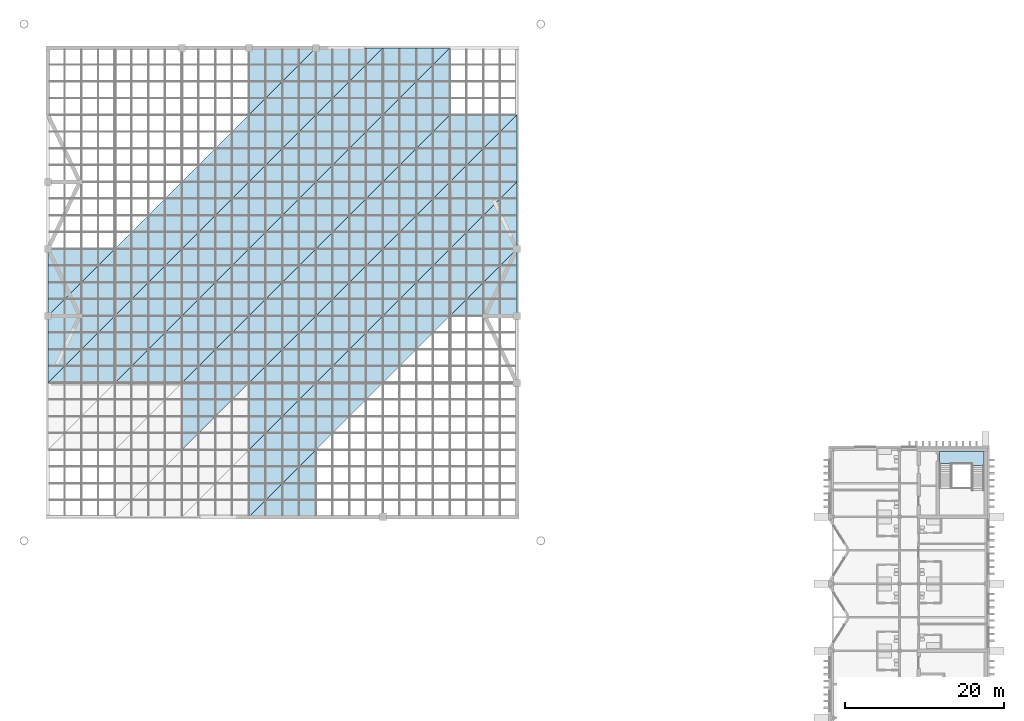
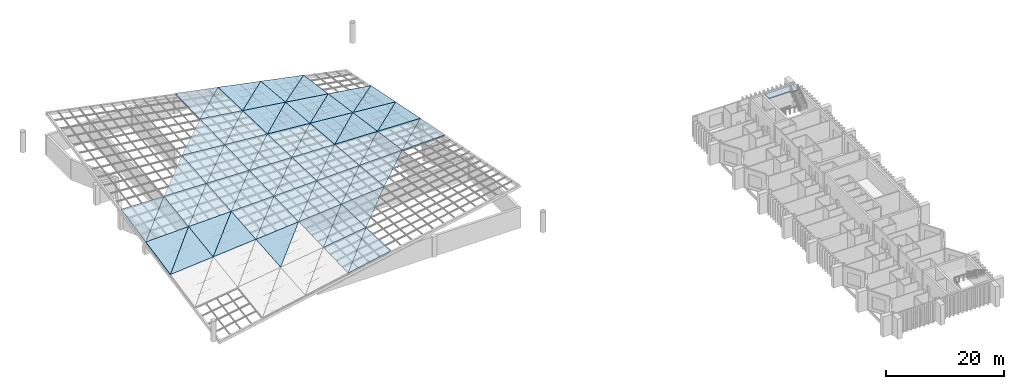
# One storey, part 10 of 20: 58 slabs, 1 element without a shape of its own.
"""IFC4 building model written with IfcOpenShell, lengths in metres."""

from ifc_helpers import new_model, si_unit, direction, frame, origin, place, context, subcontext, project, spatial, polyline, outline, extrude, material, layer, layer_set, type_object, element, aggregate, save


model = new_model("IFC4")

# Units and contexts
model_context = context("Model", 3, precision=1e-05, world=origin(), true_north=direction((0.0, 1.0)))
body_context = subcontext(model_context, "Body", "Model", "MODEL_VIEW")
ifc_project = project(units=[si_unit("LENGTHUNIT", "METRE"), si_unit("AREAUNIT", "SQUARE_METRE"), si_unit("VOLUMEUNIT", "CUBIC_METRE"), si_unit("PLANEANGLEUNIT", "RADIAN"), si_unit("MASSUNIT", "GRAM", prefix="KILO")], contexts=[model_context])

# Site, building, storey
site_placement = place(None, origin())
site = spatial("IfcSite", under=ifc_project, at=site_placement, CompositionType="ELEMENT")
building_placement = place(site_placement, origin())
building = spatial("IfcBuilding", under=site, at=building_placement, Name="Cresset Court Congress Hotel", CompositionType="ELEMENT")
storey_placement = place(building_placement, frame((0.0, 0.0, 27.0)))
storey = spatial("IfcBuildingStorey", under=building, at=storey_placement, Name="L06", CompositionType="ELEMENT", Elevation=27.0)

# Slabs
ifc_material_1 = material(Name="Titanium-zinc standing seam roof panel")
ifc_layer_1 = layer(ifc_material_1, 0.14990234375)
ifc_layer_set_1 = layer_set([ifc_layer_1], Name="Roof cover facet 150")
slab_type_1 = type_object("IfcSlabType", Name="Roof cover facet 150", PredefinedType="ROOF", material=ifc_layer_set_1)
slab_1_placement = place(storey_placement, frame((58.800048828125, 75.60009765625, 0.60205078125), z_axis=(-0.084825393195, -0.141385210963, 0.986313781101), x_axis=(0.996322179533, 0.0, 0.085686139895)))
element("IfcSlab", 1, at=slab_1_placement, inside=storey, type_object=slab_type_1, Name="Roof panel RP-13A", PredefinedType="ROOF", context=body_context, shape_type="SweptSolid", body=[
    extrude(outline(polyline([(0.0, 0.0), (8.430909716057242, -1.3877787807814457e-17), (8.534084530989805, 8.485138473526247), (0.0, 0.0)])), origin(), (0.0, 0.0, -1.0), 0.14990234375),
])
slab_2_placement = place(storey_placement, frame((58.800048828125, 75.60009765625, 0.60205078125), z_axis=(-0.028115069054, -0.196663056487, 0.980067949229), x_axis=(0.697987604244, 0.697987604244, 0.160083130416)))
element("IfcSlab", 2, at=slab_2_placement, inside=storey, type_object=slab_type_1, Name="Roof panel RP-13B", PredefinedType="ROOF", context=body_context, shape_type="SweptSolid", body=[
    extrude(outline(polyline([(0.0, 0.0), (12.034457764976153, -8.604228440844963e-16), (6.132855333009405, 5.982266553467601), (0.0, 0.0)])), origin(), (0.0, 0.0, -1.0), 0.14990234375),
])
slab_3_placement = place(storey_placement, frame((58.800048828125, 84.0, 2.28759765625), z_axis=(-0.028385262106, -0.141811274005, 0.989486654514), x_axis=(0.999588785904, 0.0, 0.028675060504)))
element("IfcSlab", 3, at=slab_3_placement, inside=storey, type_object=slab_type_1, Name="Roof panel RP-14A", PredefinedType="ROOF", context=body_context, shape_type="SweptSolid", body=[
    extrude(outline(polyline([(0.0, 0.0), (8.403357922981321, 0.0), (8.43787860739131, 8.485660869908019), (0.0, 0.0)])), origin(), (0.0, 0.0, -1.0), 0.14990234375),
])
slab_4_placement = place(storey_placement, frame((58.800048828125, 84.0, 2.28759765625), z_axis=(0.028114911543, -0.196690439925, 0.980062458515), x_axis=(0.701934041896, 0.701934041896, 0.120736082658)))
element("IfcSlab", 4, at=slab_4_placement, inside=storey, type_object=slab_type_1, Name="Roof panel RP-14B", PredefinedType="ROOF", context=body_context, shape_type="SweptSolid", body=[
    extrude(outline(polyline([(0.0, 0.0), (11.966797223658467, -2.498001805406602e-16), (6.099713207085436, 6.0161241280583795), (0.0, 0.0)])), origin(), (0.0, 0.0, -1.0), 0.14990234375),
])
slab_5_placement = place(storey_placement, frame((67.199951171875, 75.60009765625, 1.324462890625), z_axis=(-0.085370839589, -0.085373320866, 0.992684852223), x_axis=(0.996322392136, 0.0, 0.08568366781)))
element("IfcSlab", 5, at=slab_5_placement, inside=storey, type_object=slab_type_1, Name="Roof panel RP-23A", PredefinedType="ROOF", context=body_context, shape_type="SweptSolid", body=[
    extrude(outline(polyline([(0.0, 0.0), (8.431152958802807, 0.0), (8.493051878004213, 8.43068248507261), (0.0, 0.0)])), origin(), (0.0, 0.0, -1.0), 0.14990234375),
])
slab_6_placement = place(storey_placement, frame((67.199951171875, 75.60009765625, 1.324462890625), z_axis=(-0.028355586968, -0.141839573648, 0.989483449096), x_axis=(0.701944391122, 0.701923989914, 0.120734353668)))
element("IfcSlab", 6, at=slab_6_placement, inside=storey, type_object=slab_type_1, Name="Roof panel RP-23B", PredefinedType="ROOF", context=body_context, shape_type="SweptSolid", body=[
    extrude(outline(polyline([(0.0, 0.0), (11.96696859553751, -1.5681900222830336e-15), (6.041469391908614, 5.95893174520258), (0.0, 0.0)])), origin(), (0.0, 0.0, -1.0), 0.14990234375),
])
slab_7_placement = place(storey_placement, frame((67.199951171875, 84.0, 2.528564453125), z_axis=(-0.028539933798, -0.085651235914, 0.995916330806), x_axis=(0.999589642069, 0.0, 0.028645199729)))
element("IfcSlab", 7, at=slab_7_placement, inside=storey, type_object=slab_type_1, Name="Roof panel RP-24A", PredefinedType="ROOF", context=body_context, shape_type="SweptSolid", body=[
    extrude(outline(polyline([(0.0, 0.0), (8.40359496621474, 0.0), (8.424288605374535, 8.430884319785601), (0.0, 0.0)])), origin(), (0.0, 0.0, -1.0), 0.14990234375),
])
slab_8_placement = place(storey_placement, frame((67.199951171875, 84.0, 2.528564453125), z_axis=(0.028355702624, -0.141811393026, 0.989487484982), x_axis=(0.704804407959, 0.704783923627, 0.080810689377)))
element("IfcSlab", 8, at=slab_8_placement, inside=storey, type_object=slab_type_1, Name="Roof panel RP-24B", PredefinedType="ROOF", context=body_context, shape_type="SweptSolid", body=[
    extrude(outline(polyline([(0.0, 0.0), (11.918407985979082, -9.71445146547012e-17), (6.017400680088292, 5.983186536621874), (0.0, 0.0)])), origin(), (0.0, 0.0, -1.0), 0.14990234375),
])
slab_9_placement = place(storey_placement, frame((67.199951171875, 92.39990234375, 3.732421875), z_axis=(0.028539939883, -0.08564876482, 0.995916543148), x_axis=(0.999589642069, 0.0, -0.028645199729)))
element("IfcSlab", 9, at=slab_9_placement, inside=storey, type_object=slab_type_1, Name="Roof panel RP-25A", PredefinedType="ROOF", context=body_context, shape_type="SweptSolid", body=[
    extrude(outline(polyline([(0.0, 0.0), (8.40359496621474, -3.469446951953614e-18), (8.382901327054945, 8.431127563263864), (0.0, 0.0)])), origin(), (0.0, 0.0, -1.0), 0.14990234375),
])
slab_10_placement = place(storey_placement, frame((75.60009765625, 67.199951171875, 1.324462890625), z_axis=(-0.085373320866, -0.085370839589, 0.992684852223), x_axis=(0.701923989914, 0.701944391122, 0.120734353668)))
element("IfcSlab", 10, at=slab_10_placement, inside=storey, type_object=slab_type_1, Name="Roof panel RP-32B", PredefinedType="ROOF", context=body_context, shape_type="SweptSolid", body=[
    extrude(outline(polyline([(0.0, 0.0), (11.96696859553751, -1.5265227775417e-16), (5.983655668420736, 5.939714223471169), (0.0, 0.0)])), origin(), (0.0, 0.0, -1.0), 0.14990234375),
])
slab_11_placement = place(storey_placement, frame((75.60009765625, 75.60009765625, 2.046875), z_axis=(-0.085651233886, -0.028540762626, 0.995916307228), x_axis=(0.996322179533, 0.0, 0.085686139895)))
element("IfcSlab", 11, at=slab_11_placement, inside=storey, type_object=slab_type_1, Name="Roof panel RP-33A", PredefinedType="ROOF", context=body_context, shape_type="SweptSolid", body=[
    extrude(outline(polyline([(0.0, 0.0), (8.430909716057242, 0.0), (8.451536311256655, 8.403325611050622), (0.0, 0.0)])), origin(), (0.0, 0.0, -1.0), 0.14990234375),
])
slab_12_placement = place(storey_placement, frame((75.60009765625, 75.60009765625, 2.046875), z_axis=(-0.028540762626, -0.085651233886, 0.995916307228), x_axis=(0.704794098981, 0.704794098981, 0.080811856086)))
element("IfcSlab", 12, at=slab_12_placement, inside=storey, type_object=slab_type_1, Name="Roof panel RP-33B", PredefinedType="ROOF", context=body_context, shape_type="SweptSolid", body=[
    extrude(outline(polyline([(0.0, 0.0), (11.91823591584883, 4.510281037539698e-16), (5.978581067306344, 5.944477021736608), (0.0, 0.0)])), origin(), (0.0, 0.0, -1.0), 0.14990234375),
])
slab_13_placement = place(storey_placement, frame((75.60009765625, 84.0, 2.769287109375), z_axis=(-0.028634261618, -0.028663302452, 0.999178909983), x_axis=(0.99958961823, 0.0, 0.02864603161)))
element("IfcSlab", 13, at=slab_13_placement, inside=storey, type_object=slab_type_1, Name="Roof panel RP-34A", PredefinedType="ROOF", context=body_context, shape_type="SweptSolid", body=[
    extrude(outline(polyline([(0.0, 0.0), (8.403350925777692, 0.0), (8.41025366825794, 8.40335508793239), (0.0, 0.0)])), origin(), (0.0, 0.0, -1.0), 0.14990234375),
])
slab_14_placement = place(storey_placement, frame((75.60009765625, 84.0, 2.769287109375), z_axis=(0.028540762626, -0.085651233886, 0.995916307228), x_axis=(0.706526183016, 0.706526183016, 0.040515496108)))
element("IfcSlab", 14, at=slab_14_placement, inside=storey, type_object=slab_type_1, Name="Roof panel RP-34B", PredefinedType="ROOF", context=body_context, shape_type="SweptSolid", body=[
    extrude(outline(polyline([(0.0, 0.0), (11.889017768441823, -8.326672684688674e-17), (5.964019825644981, 5.959086017135682), (0.0, 0.0)])), origin(), (0.0, 0.0, -1.0), 0.14990234375),
])
slab_15_placement = place(storey_placement, frame((75.60009765625, 92.39990234375, 3.49169921875), z_axis=(0.028634286124, -0.028633453901, 0.999179765095), x_axis=(0.99958961823, 0.0, -0.02864603161)))
element("IfcSlab", 15, at=slab_15_placement, inside=storey, type_object=slab_type_1, Name="Roof panel RP-35A", PredefinedType="ROOF", context=body_context, shape_type="SweptSolid", body=[
    extrude(outline(polyline([(0.0, 0.0), (8.403350925777692, 0.0), (8.396455176957504, 8.403592136987488), (0.0, 0.0)])), origin(), (0.0, 0.0, -1.0), 0.14990234375),
])
slab_16_placement = place(storey_placement, frame((75.60009765625, 92.39990234375, 3.49169921875), z_axis=(0.085373320866, -0.085370839589, 0.992684852223), x_axis=(0.707096505339, 0.707117056885, 0.0)))
element("IfcSlab", 16, at=slab_16_placement, inside=storey, type_object=slab_type_1, Name="Roof panel RP-35B", PredefinedType="ROOF", context=body_context, shape_type="SweptSolid", body=[
    extrude(outline(polyline([(0.0, 0.0), (11.879428451886664, 8.881784197001252e-16), (5.939886859434814, 5.983484295278372), (0.0, 0.0)])), origin(), (0.0, 0.0, -1.0), 0.14990234375),
])
slab_17_placement = place(storey_placement, frame((75.60009765625, 100.800048828125, 4.214111328125), z_axis=(0.085651233886, -0.028540762626, 0.995916307228), x_axis=(0.996322179533, 0.0, -0.085686139895)))
element("IfcSlab", 17, at=slab_17_placement, inside=storey, type_object=slab_type_1, Name="Roof panel RP-36A", PredefinedType="ROOF", context=body_context, shape_type="SweptSolid", body=[
    extrude(outline(polyline([(0.0, 0.0), (8.430909716057242, 0.0), (8.410283120857828, 8.40332561105062), (0.0, 0.0)])), origin(), (0.0, 0.0, -1.0), 0.14990234375),
])
slab_18_placement = place(storey_placement, frame((84.0, 58.800048828125, 2.28759765625), z_axis=(-0.196690439925, 0.028114911543, 0.980062458515), x_axis=(0.980450032627, 0.0, 0.196768222847)))
element("IfcSlab", 18, at=slab_18_placement, inside=storey, type_object=slab_type_1, Name="Roof panel RP-41A", PredefinedType="ROOF", context=body_context, shape_type="SweptSolid", body=[
    extrude(outline(polyline([(0.0, 0.0), (8.567394629226479, 0.0), (8.519980020840162, 8.403224157229445), (0.0, 0.0)])), origin(), (0.0, 0.0, -1.0), 0.14990234375),
])
slab_19_placement = place(storey_placement, frame((84.0, 58.800048828125, 2.28759765625), z_axis=(-0.141811274005, -0.028385262106, 0.989486654514), x_axis=(0.701934041896, 0.701934041896, 0.120736082658)))
element("IfcSlab", 19, at=slab_19_placement, inside=storey, type_object=slab_type_1, Name="Roof panel RP-41B", PredefinedType="ROOF", context=body_context, shape_type="SweptSolid", body=[
    extrude(outline(polyline([(0.0, 0.0), (11.966797223658467, -5.828670879282072e-16), (5.925270790783813, 5.958824585236346), (0.0, 0.0)])), origin(), (0.0, 0.0, -1.0), 0.14990234375),
])
slab_20_placement = place(storey_placement, frame((84.0, 67.199951171875, 2.528564453125), z_axis=(-0.141811393026, 0.028355702624, 0.989487484982), x_axis=(0.989885521692, 0.0, 0.141868438861)))
element("IfcSlab", 20, at=slab_20_placement, inside=storey, type_object=slab_type_1, Name="Roof panel RP-42A", PredefinedType="ROOF", context=body_context, shape_type="SweptSolid", body=[
    extrude(outline(polyline([(0.0, 0.0), (8.485731086756184, -6.938893903907228e-18), (8.451580139315448, 8.403525573768349), (0.0, 0.0)])), origin(), (0.0, 0.0, -1.0), 0.14990234375),
])
slab_21_placement = place(storey_placement, frame((84.0, 67.199951171875, 2.528564453125), z_axis=(-0.085651235914, -0.028539933798, 0.995916330806), x_axis=(0.704783923627, 0.704804407959, 0.080810689377)))
element("IfcSlab", 21, at=slab_21_placement, inside=storey, type_object=slab_type_1, Name="Roof panel RP-42B", PredefinedType="ROOF", context=body_context, shape_type="SweptSolid", body=[
    extrude(outline(polyline([(0.0, 0.0), (11.918407985979082, -2.0122792321330962e-16), (5.93991323349131, 5.944563830491229), (0.0, 0.0)])), origin(), (0.0, 0.0, -1.0), 0.14990234375),
])
slab_22_placement = place(storey_placement, frame((84.0, 75.60009765625, 2.769287109375), z_axis=(-0.085651233886, 0.028540762626, 0.995916307228), x_axis=(0.996322179533, 0.0, 0.085686139895)))
element("IfcSlab", 22, at=slab_22_placement, inside=storey, type_object=slab_type_1, Name="Roof panel RP-43A", PredefinedType="ROOF", context=body_context, shape_type="SweptSolid", body=[
    extrude(outline(polyline([(0.0, 0.0), (8.430909716057242, 0.0), (8.410283120857828, 8.40332561105062), (0.0, 0.0)])), origin(), (0.0, 0.0, -1.0), 0.14990234375),
])
slab_23_placement = place(storey_placement, frame((84.0, 75.60009765625, 2.769287109375), z_axis=(-0.028663302452, -0.028634261618, 0.999178909983), x_axis=(0.706526183016, 0.706526183016, 0.040515496108)))
element("IfcSlab", 23, at=slab_23_placement, inside=storey, type_object=slab_type_1, Name="Roof panel RP-43B", PredefinedType="ROOF", context=body_context, shape_type="SweptSolid", body=[
    extrude(outline(polyline([(0.0, 0.0), (11.889017768441823, -4.684075257657336e-16), (5.944503938481641, 5.939627909822725), (0.0, 0.0)])), origin(), (0.0, 0.0, -1.0), 0.14990234375),
])
slab_24_placement = place(storey_placement, frame((84.0, 84.0, 3.010009765625), z_axis=(-0.028663278604, 0.028663278604, 0.999178078682), x_axis=(0.999588785904, 0.0, 0.028675060504)))
element("IfcSlab", 24, at=slab_24_placement, inside=storey, type_object=slab_type_1, Name="Roof panel RP-44A", PredefinedType="ROOF", context=body_context, shape_type="SweptSolid", body=[
    extrude(outline(polyline([(0.0, 0.0), (8.403357922981321, 0.0), (8.39644818550157, 8.403355082183598), (0.0, 0.0)])), origin(), (0.0, 0.0, -1.0), 0.14990234375),
])
slab_25_placement = place(storey_placement, frame((84.0, 84.0, 3.010009765625), z_axis=(0.028663278604, -0.028663278604, 0.999178078682), x_axis=(0.707106781187, 0.707106781187, 0.0)))
element("IfcSlab", 25, at=slab_25_placement, inside=storey, type_object=slab_type_1, Name="Roof panel RP-44B", PredefinedType="ROOF", context=body_context, shape_type="SweptSolid", body=[
    extrude(outline(polyline([(0.0, 0.0), (11.879255817140798, 0.0), (5.939627908570399, 5.944513831211479), (0.0, 0.0)])), origin(), (0.0, 0.0, -1.0), 0.14990234375),
])
slab_26_placement = place(storey_placement, frame((84.0, 92.39990234375, 3.2509765625), z_axis=(0.028663303135, 0.028633430079, 0.999178933793), x_axis=(0.999588785904, 0.0, -0.028675060504)))
element("IfcSlab", 26, at=slab_26_placement, inside=storey, type_object=slab_type_1, Name="Roof panel RP-45A", PredefinedType="ROOF", context=body_context, shape_type="SweptSolid", body=[
    extrude(outline(polyline([(0.0, 0.0), (8.403357922981321, 8.673617379884035e-19), (8.410260659713881, 8.4035921312505), (0.0, 0.0)])), origin(), (0.0, 0.0, -1.0), 0.14990234375),
])
slab_27_placement = place(storey_placement, frame((84.0, 92.39990234375, 3.2509765625), z_axis=(0.085651235914, -0.028539933798, 0.995916330806), x_axis=(0.706515932459, 0.706536467132, -0.040514908293)))
element("IfcSlab", 27, at=slab_27_placement, inside=storey, type_object=slab_type_1, Name="Roof panel RP-45B", PredefinedType="ROOF", context=body_context, shape_type="SweptSolid", body=[
    extrude(outline(polyline([(0.0, 0.0), (11.889190261441117, 8.465450562766819e-16), (5.925256964116818, 5.959172615839795), (0.0, 0.0)])), origin(), (0.0, 0.0, -1.0), 0.14990234375),
])
slab_28_placement = place(storey_placement, frame((84.0, 100.800048828125, 3.49169921875), z_axis=(0.085651233886, 0.028540762626, 0.995916307228), x_axis=(0.996322179533, 0.0, -0.085686139895)))
element("IfcSlab", 28, at=slab_28_placement, inside=storey, type_object=slab_type_1, Name="Roof panel RP-46A", PredefinedType="ROOF", context=body_context, shape_type="SweptSolid", body=[
    extrude(outline(polyline([(0.0, 0.0), (8.430909716057242, 0.0), (8.451536311256655, 8.403325611050622), (0.0, 0.0)])), origin(), (0.0, 0.0, -1.0), 0.14990234375),
])
slab_29_placement = place(storey_placement, frame((84.0, 100.800048828125, 3.49169921875), z_axis=(0.141811389712, -0.028356526112, 0.989487461858), x_axis=(0.704794098981, 0.704794098981, -0.080811856086)))
element("IfcSlab", 29, at=slab_29_placement, inside=storey, type_object=slab_type_1, Name="Roof panel RP-46B", PredefinedType="ROOF", context=body_context, shape_type="SweptSolid", body=[
    extrude(outline(polyline([(0.0, 0.0), (11.91823591584883, 9.020562075079397e-16), (5.900748359235683, 5.983099162035191), (0.0, 0.0)])), origin(), (0.0, 0.0, -1.0), 0.14990234375),
])
slab_30_placement = place(storey_placement, frame((84.0, 109.199951171875, 3.732421875), z_axis=(0.141811277326, 0.028384437785, 0.989486677684), x_axis=(0.989885521692, 0.0, -0.141868438861)))
element("IfcSlab", 30, at=slab_30_placement, inside=storey, type_object=slab_type_1, Name="Roof panel RP-47A", PredefinedType="ROOF", context=body_context, shape_type="SweptSolid", body=[
    extrude(outline(polyline([(0.0, 0.0), (8.485731086756184, 6.938893903907228e-18), (8.51991667004625, 8.403532429999249), (0.0, 0.0)])), origin(), (0.0, 0.0, -1.0), 0.14990234375),
])
slab_31_placement = place(storey_placement, frame((84.0, 109.199951171875, 3.732421875), z_axis=(0.196690444443, -0.028114095061, 0.98006248103), x_axis=(0.701923989914, 0.701944391122, -0.120734353668)))
element("IfcSlab", 31, at=slab_31_placement, inside=storey, type_object=slab_type_1, Name="Roof panel RP-47B", PredefinedType="ROOF", context=body_context, shape_type="SweptSolid", body=[
    extrude(outline(polyline([(0.0, 0.0), (11.96696859553751, 4.996003610813204e-16), (5.8673427388370545, 6.016212690818865), (0.0, 0.0)])), origin(), (0.0, 0.0, -1.0), 0.14990234375),
])
slab_32_placement = place(storey_placement, frame((92.39990234375, 67.199951171875, 3.732421875), z_axis=(-0.08564876482, 0.028539939883, 0.995916543148), x_axis=(0.706526216723, 0.706526216723, 0.040514320504)))
element("IfcSlab", 32, at=slab_32_placement, inside=storey, type_object=slab_type_1, Name="Roof panel RP-52B", PredefinedType="ROOF", context=body_context, shape_type="SweptSolid", body=[
    extrude(outline(polyline([(0.0, 0.0), (11.889362751937853, -5.204170427930421e-16), (5.9251710006771985, 5.9592580887996185), (0.0, 0.0)])), origin(), (0.0, 0.0, -1.0), 0.14990234375),
])
slab_33_placement = place(storey_placement, frame((92.39990234375, 75.60009765625, 3.49169921875), z_axis=(-0.085370839589, 0.085373320866, 0.992684852223), x_axis=(0.996322392136, 0.0, 0.08568366781)))
element("IfcSlab", 33, at=slab_33_placement, inside=storey, type_object=slab_type_1, Name="Roof panel RP-53A", PredefinedType="ROOF", context=body_context, shape_type="SweptSolid", body=[
    extrude(outline(polyline([(0.0, 0.0), (8.431152958802807, 0.0), (8.3692540396014, 8.43068248507261), (0.0, 0.0)])), origin(), (0.0, 0.0, -1.0), 0.14990234375),
])
slab_34_placement = place(storey_placement, frame((92.39990234375, 75.60009765625, 3.49169921875), z_axis=(-0.028633453901, 0.028634286124, 0.999179765095), x_axis=(0.707117056885, 0.707096505339, 0.0)))
element("IfcSlab", 34, at=slab_34_placement, inside=storey, type_object=slab_type_1, Name="Roof panel RP-53B", PredefinedType="ROOF", context=body_context, shape_type="SweptSolid", body=[
    extrude(outline(polyline([(0.0, 0.0), (11.879428451886664, -8.881784197001252e-16), (5.93954159245185, 5.944590183797646), (0.0, 0.0)])), origin(), (0.0, 0.0, -1.0), 0.14990234375),
])
slab_35_placement = place(storey_placement, frame((92.39990234375, 84.0, 3.2509765625), z_axis=(-0.028539933798, 0.085651235914, 0.995916330806), x_axis=(0.999589642069, 0.0, 0.028645199729)))
element("IfcSlab", 35, at=slab_35_placement, inside=storey, type_object=slab_type_1, Name="Roof panel RP-54A", PredefinedType="ROOF", context=body_context, shape_type="SweptSolid", body=[
    extrude(outline(polyline([(0.0, 0.0), (8.40359496621474, 0.0), (8.382901327054945, 8.430884319785603), (0.0, 0.0)])), origin(), (0.0, 0.0, -1.0), 0.14990234375),
])
slab_36_placement = place(storey_placement, frame((92.39990234375, 84.0, 3.2509765625), z_axis=(0.028633430079, 0.028663303135, 0.999178933793), x_axis=(0.706536467132, 0.706515932459, -0.040514908293)))
element("IfcSlab", 36, at=slab_36_placement, inside=storey, type_object=slab_type_1, Name="Roof panel RP-54B", PredefinedType="ROOF", context=body_context, shape_type="SweptSolid", body=[
    extrude(outline(polyline([(0.0, 0.0), (11.889190261441117, -9.46134108017159e-16), (5.944427584640078, 5.939714224834649), (0.0, 0.0)])), origin(), (0.0, 0.0, -1.0), 0.14990234375),
])
slab_37_placement = place(storey_placement, frame((92.39990234375, 92.39990234375, 3.010009765625), z_axis=(0.028539939883, 0.08564876482, 0.995916543148), x_axis=(0.999589642069, 0.0, -0.028645199729)))
element("IfcSlab", 37, at=slab_37_placement, inside=storey, type_object=slab_type_1, Name="Roof panel RP-55A", PredefinedType="ROOF", context=body_context, shape_type="SweptSolid", body=[
    extrude(outline(polyline([(0.0, 0.0), (8.40359496621474, 3.469446951953614e-18), (8.424288605374535, 8.431127563263864), (0.0, 0.0)])), origin(), (0.0, 0.0, -1.0), 0.14990234375),
])
slab_38_placement = place(storey_placement, frame((92.39990234375, 92.39990234375, 3.010009765625), z_axis=(0.08564876482, 0.028539939883, 0.995916543148), x_axis=(0.704794232751, 0.704794232751, -0.080809522719)))
element("IfcSlab", 38, at=slab_38_placement, inside=storey, type_object=slab_type_1, Name="Roof panel RP-55B", PredefinedType="ROOF", context=body_context, shape_type="SweptSolid", body=[
    extrude(outline(polyline([(0.0, 0.0), (11.918580053625133, 6.245004513516506e-17), (5.939827479409595, 5.944649516249077), (0.0, 0.0)])), origin(), (0.0, 0.0, -1.0), 0.14990234375),
])
slab_39_placement = place(storey_placement, frame((92.39990234375, 100.800048828125, 2.769287109375), z_axis=(0.085370839589, 0.085373320866, 0.992684852223), x_axis=(0.996322392136, 0.0, -0.08568366781)))
element("IfcSlab", 39, at=slab_39_placement, inside=storey, type_object=slab_type_1, Name="Roof panel RP-56A", PredefinedType="ROOF", context=body_context, shape_type="SweptSolid", body=[
    extrude(outline(polyline([(0.0, 0.0), (8.431152958802807, 0.0), (8.493051878004213, 8.43068248507261), (0.0, 0.0)])), origin(), (0.0, 0.0, -1.0), 0.14990234375),
])
slab_40_placement = place(storey_placement, frame((92.39990234375, 100.800048828125, 2.769287109375), z_axis=(0.141835530862, 0.028356427032, 0.989484004535), x_axis=(0.701944391122, 0.701923989914, -0.120734353668)))
element("IfcSlab", 40, at=slab_40_placement, inside=storey, type_object=slab_type_1, Name="Roof panel RP-56B", PredefinedType="ROOF", context=body_context, shape_type="SweptSolid", body=[
    extrude(outline(polyline([(0.0, 0.0), (11.96696859553751, -2.636779683484747e-16), (5.925156462324932, 5.958928400202331), (0.0, 0.0)])), origin(), (0.0, 0.0, -1.0), 0.14990234375),
])
slab_41_placement = place(storey_placement, frame((92.39990234375, 109.199951171875, 2.528564453125), z_axis=(0.141381213468, 0.084822994861, 0.986314560382), x_axis=(0.989882060194, 0.0, -0.141892589324)))
element("IfcSlab", 41, at=slab_41_placement, inside=storey, type_object=slab_type_1, Name="Roof panel RP-57A", PredefinedType="ROOF", context=body_context, shape_type="SweptSolid", body=[
    extrude(outline(polyline([(0.0, 0.0), (8.486007396401009, 0.0), (8.588512321159415, 8.430529814616017), (0.0, 0.0)])), origin(), (0.0, 0.0, -1.0), 0.14990234375),
])
slab_42_placement = place(storey_placement, frame((92.39990234375, 109.199951171875, 2.528564453125), z_axis=(0.196657566275, 0.028114284171, 0.980069073409), x_axis=(0.697988124104, 0.697988124104, -0.160078597009)))
element("IfcSlab", 42, at=slab_42_placement, inside=storey, type_object=slab_type_1, Name="Roof panel RP-57B", PredefinedType="ROOF", context=body_context, shape_type="SweptSolid", body=[
    extrude(outline(polyline([(0.0, 0.0), (12.034798579362958, -1.1102230246251565e-16), (5.901776113594498, 5.98243801983433), (0.0, 0.0)])), origin(), (0.0, 0.0, -1.0), 0.14990234375),
])
slab_43_placement = place(storey_placement, frame((100.800048828125, 75.60009765625, 4.214111328125), z_axis=(-0.028540762626, 0.085651233886, 0.995916307228), x_axis=(0.706526183016, 0.706526183016, -0.040515496108)))
element("IfcSlab", 43, at=slab_43_placement, inside=storey, type_object=slab_type_1, Name="Roof panel RP-63B", PredefinedType="ROOF", context=body_context, shape_type="SweptSolid", body=[
    extrude(outline(polyline([(0.0, 0.0), (11.889017768441823, -8.326672684688674e-17), (5.964019825644981, 5.959086017135682), (0.0, 0.0)])), origin(), (0.0, 0.0, -1.0), 0.14990234375),
])
slab_44_placement = place(storey_placement, frame((100.800048828125, 84.0, 3.49169921875), z_axis=(-0.028356526112, 0.141811389712, 0.989487461858), x_axis=(0.99958961823, 0.0, 0.02864603161)))
element("IfcSlab", 44, at=slab_44_placement, inside=storey, type_object=slab_type_1, Name="Roof panel RP-64A", PredefinedType="ROOF", context=body_context, shape_type="SweptSolid", body=[
    extrude(outline(polyline([(0.0, 0.0), (8.403350925777692, 6.938893903907228e-18), (8.368865188016692, 8.48566101200321), (0.0, 0.0)])), origin(), (0.0, 0.0, -1.0), 0.14990234375),
])
slab_45_placement = place(storey_placement, frame((100.800048828125, 84.0, 3.49169921875), z_axis=(0.028540762626, 0.085651233886, 0.995916307228), x_axis=(0.704794098981, 0.704794098981, -0.080811856086)))
element("IfcSlab", 45, at=slab_45_placement, inside=storey, type_object=slab_type_1, Name="Roof panel RP-64B", PredefinedType="ROOF", context=body_context, shape_type="SweptSolid", body=[
    extrude(outline(polyline([(0.0, 0.0), (11.91823591584883, 4.510281037539698e-16), (5.978581067306344, 5.944477021736608), (0.0, 0.0)])), origin(), (0.0, 0.0, -1.0), 0.14990234375),
])
slab_46_placement = place(storey_placement, frame((100.800048828125, 92.39990234375, 2.769287109375), z_axis=(0.028356427032, 0.141835530862, 0.989484004535), x_axis=(0.99958961823, 0.0, -0.02864603161)))
element("IfcSlab", 46, at=slab_46_placement, inside=storey, type_object=slab_type_1, Name="Roof panel RP-65A", PredefinedType="ROOF", context=body_context, shape_type="SweptSolid", body=[
    extrude(outline(polyline([(0.0, 0.0), (8.403350925777692, 0.0), (8.437843657198753, 8.485937295505533), (0.0, 0.0)])), origin(), (0.0, 0.0, -1.0), 0.14990234375),
])
slab_47_placement = place(storey_placement, frame((100.800048828125, 92.39990234375, 2.769287109375), z_axis=(0.085373320866, 0.085370839589, 0.992684852223), x_axis=(0.701923989914, 0.701944391122, -0.120734353668)))
element("IfcSlab", 47, at=slab_47_placement, inside=storey, type_object=slab_type_1, Name="Roof panel RP-65B", PredefinedType="ROOF", context=body_context, shape_type="SweptSolid", body=[
    extrude(outline(polyline([(0.0, 0.0), (11.96696859553751, -1.5265227775417e-16), (5.983655668420736, 5.939714223471169), (0.0, 0.0)])), origin(), (0.0, 0.0, -1.0), 0.14990234375),
])
slab_48_placement = place(storey_placement, frame((100.800048828125, 100.800048828125, 2.046875), z_axis=(0.084825393195, 0.141385210963, 0.986313781101), x_axis=(0.996322179533, 0.0, -0.085686139895)))
element("IfcSlab", 48, at=slab_48_placement, inside=storey, type_object=slab_type_1, Name="Roof panel RP-66A", PredefinedType="ROOF", context=body_context, shape_type="SweptSolid", body=[
    extrude(outline(polyline([(0.0, 0.0), (8.430909716057242, -1.3877787807814457e-17), (8.534084530989805, 8.485138473526247), (0.0, 0.0)])), origin(), (0.0, 0.0, -1.0), 0.14990234375),
])
slab_49_placement = place(storey_placement, frame((100.800048828125, 100.800048828125, 2.046875), z_axis=(0.141385210963, 0.084825393195, 0.986313781101), x_axis=(0.697987604244, 0.697987604244, -0.160083130416)))
element("IfcSlab", 49, at=slab_49_placement, inside=storey, type_object=slab_type_1, Name="Roof panel RP-66B", PredefinedType="ROOF", context=body_context, shape_type="SweptSolid", body=[
    extrude(outline(polyline([(0.0, 0.0), (12.034457764976153, -3.608224830031759e-16), (5.9786737047157965, 5.944383851405315), (0.0, 0.0)])), origin(), (0.0, 0.0, -1.0), 0.14990234375),
])
slab_50_placement = place(storey_placement, frame((100.800048828125, 109.199951171875, 1.324462890625), z_axis=(0.140489407558, 0.140485324394, 0.980064589705), x_axis=(0.989881480933, 0.0, -0.141896630354)))
element("IfcSlab", 50, at=slab_50_placement, inside=storey, type_object=slab_type_1, Name="Roof panel RP-67A", PredefinedType="ROOF", context=body_context, shape_type="SweptSolid", body=[
    extrude(outline(polyline([(0.0, 0.0), (8.485765726046866, 5.551115123125783e-17), (8.656623680369671, 8.484287188162437), (0.0, 0.0)])), origin(), (0.0, 0.0, -1.0), 0.14990234375),
])
slab_51_placement = place(storey_placement, frame((100.800048828125, 109.199951171875, 1.324462890625), z_axis=(0.196072455618, 0.084020497314, 0.976983187255), x_axis=(0.693000246398, 0.693020388241, -0.198679138245)))
element("IfcSlab", 51, at=slab_51_placement, inside=storey, type_object=slab_type_1, Name="Roof panel RP-67B", PredefinedType="ROOF", context=body_context, shape_type="SweptSolid", body=[
    extrude(outline(polyline([(0.0, 0.0), (12.121066893419664, -2.498001805406602e-16), (5.96500099323304, 5.958448066859203), (0.0, 0.0)])), origin(), (0.0, 0.0, -1.0), 0.14990234375),
])
slab_52_placement = place(storey_placement, frame((109.199951171875, 84.0, 3.732421875), z_axis=(-0.028114095061, 0.196690444443, 0.98006248103), x_axis=(0.999588809792, 0.0, 0.028674227781)))
element("IfcSlab", 52, at=slab_52_placement, inside=storey, type_object=slab_type_1, Name="Roof panel RP-74A", PredefinedType="ROOF", context=body_context, shape_type="SweptSolid", body=[
    extrude(outline(polyline([(0.0, 0.0), (8.403601963215172, 0.0), (8.355263207641794, 8.567258260237537), (0.0, 0.0)])), origin(), (0.0, 0.0, -1.0), 0.14990234375),
])
slab_53_placement = place(storey_placement, frame((109.199951171875, 84.0, 3.732421875), z_axis=(0.028384437785, 0.141811277326, 0.989486677684), x_axis=(0.701944391122, 0.701923989914, -0.120734353668)))
element("IfcSlab", 53, at=slab_53_placement, inside=storey, type_object=slab_type_1, Name="Roof panel RP-74B", PredefinedType="ROOF", context=body_context, shape_type="SweptSolid", body=[
    extrude(outline(polyline([(0.0, 0.0), (11.96696859553751, -2.220446049250313e-16), (6.04143991574805, 5.958912301850606), (0.0, 0.0)])), origin(), (0.0, 0.0, -1.0), 0.14990234375),
])
slab_54_placement = place(storey_placement, frame((109.199951171875, 92.39990234375, 2.528564453125), z_axis=(0.028114284171, 0.196657566275, 0.980069073409), x_axis=(0.999588809792, 0.0, -0.028674227781)))
element("IfcSlab", 54, at=slab_54_placement, inside=storey, type_object=slab_type_1, Name="Roof panel RP-75A", PredefinedType="ROOF", context=body_context, shape_type="SweptSolid", body=[
    extrude(outline(polyline([(0.0, 0.0), (8.403601963215172, 0.0), (8.451933718244657, 8.567449636165694), (0.0, 0.0)])), origin(), (0.0, 0.0, -1.0), 0.14990234375),
])
slab_55_placement = place(storey_placement, frame((109.199951171875, 92.39990234375, 2.528564453125), z_axis=(0.084822994861, 0.141381213468, 0.986314560382), x_axis=(0.697988124104, 0.697988124104, -0.160078597009)))
element("IfcSlab", 55, at=slab_55_placement, inside=storey, type_object=slab_type_1, Name="Roof panel RP-75B", PredefinedType="ROOF", context=body_context, shape_type="SweptSolid", body=[
    extrude(outline(polyline([(0.0, 0.0), (12.034798579362958, -1.0130785099704553e-15), (6.055953375606713, 5.944556353862773), (0.0, 0.0)])), origin(), (0.0, 0.0, -1.0), 0.14990234375),
])
slab_56_placement = place(storey_placement, frame((109.199951171875, 100.800048828125, 1.324462890625), z_axis=(0.084020497314, 0.196072455618, 0.976983187255), x_axis=(0.996322392136, 0.0, -0.08568366781)))
element("IfcSlab", 56, at=slab_56_placement, inside=storey, type_object=slab_type_1, Name="Roof panel RP-76A", PredefinedType="ROOF", context=body_context, shape_type="SweptSolid", body=[
    extrude(outline(polyline([(0.0, 0.0), (8.431152958802807, 2.7755575615628914e-17), (8.57559771618223, 8.566176886158978), (0.0, 0.0)])), origin(), (0.0, 0.0, -1.0), 0.14990234375),
])
slab_57_placement = place(storey_placement, frame((109.199951171875, 100.800048828125, 1.324462890625), z_axis=(0.140485324394, 0.140489407558, 0.980064589705), x_axis=(0.693020388241, 0.693000246398, -0.198679138245)))
element("IfcSlab", 57, at=slab_57_placement, inside=storey, type_object=slab_type_1, Name="Roof panel RP-76B", PredefinedType="ROOF", context=body_context, shape_type="SweptSolid", body=[
    extrude(outline(polyline([(0.0, 0.0), (12.121066893419664, 6.423897871976614e-17), (6.06036425473783, 5.939714223533628), (0.0, 0.0)])), origin(), (0.0, 0.0, -1.0), 0.14990234375),
])

# Stair, slab
ifc_material_2 = material(Name="Concrete C40", Category="concrete")
stair_type = type_object("IfcStairType", Name="Concrete dog-leg stair 5600", PredefinedType="HALF_TURN_STAIR", material=ifc_material_2)
stair_placement = place(storey_placement, origin())
stair = element("IfcStair", 58, at=stair_placement, inside=storey, type_object=stair_type, Name="Stair A2 L06", PredefinedType="HALF_TURN_STAIR")
ifc_material_3 = material(Name="Concrete C40", Category="concrete")
ifc_layer_2 = layer(ifc_material_3, 0.199951171875)
ifc_layer_set_2 = layer_set([ifc_layer_2], Name="Stair landing 200")
slab_type_2 = type_object("IfcSlabType", Name="Stair landing 200", PredefinedType="LANDING", material=ifc_layer_set_2)
slab_58_placement = place(storey_placement, frame((0.0, 0.0, 4.0)))
slab_58 = element("IfcSlab", 59, at=slab_58_placement, type_object=slab_type_2, Name="A-ST1 landing 2", PredefinedType="LANDING", context=body_context, shape_type="SweptSolid", body=[
    extrude(outline(polyline([(170.60009765625, 67.0), (176.199951171875, 67.0), (176.199951171875, 65.2392578125), (174.699951171875, 65.2392578125), (174.699951171875, 65.499267578125), (170.60009765625, 65.499267578125), (170.60009765625, 67.0)])), origin(), (0.0, 0.0, 1.0), 0.199951171875),
])
aggregate(stair, [slab_58])

save(model, "model.ifc")
